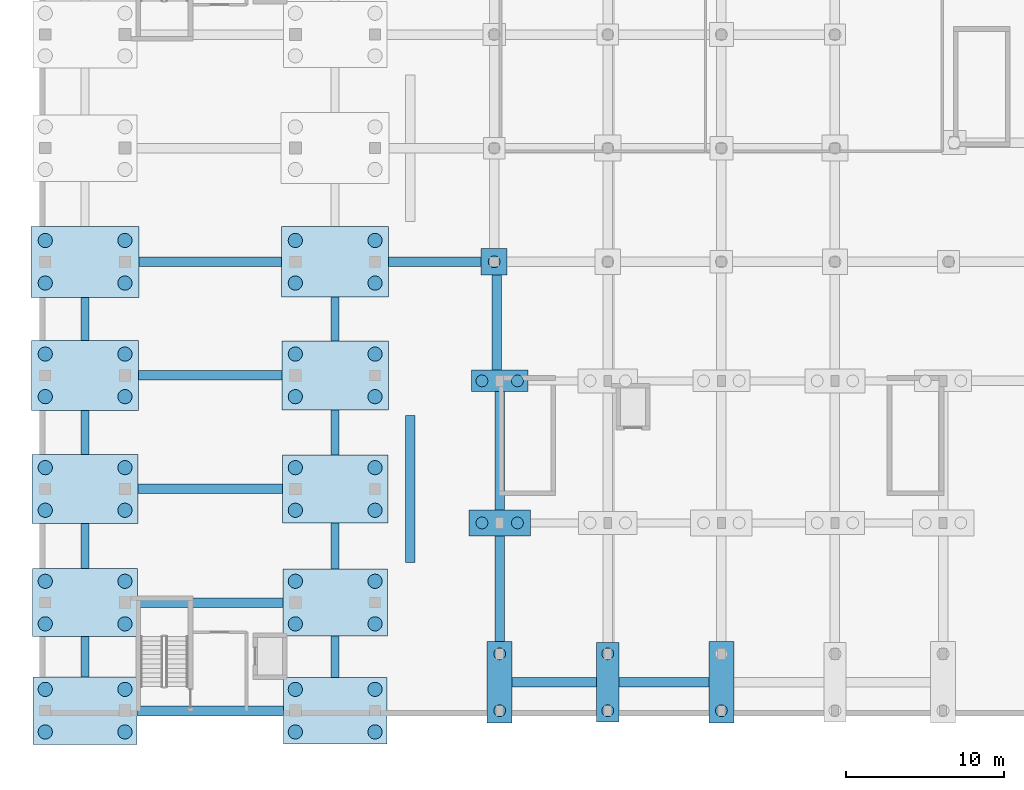
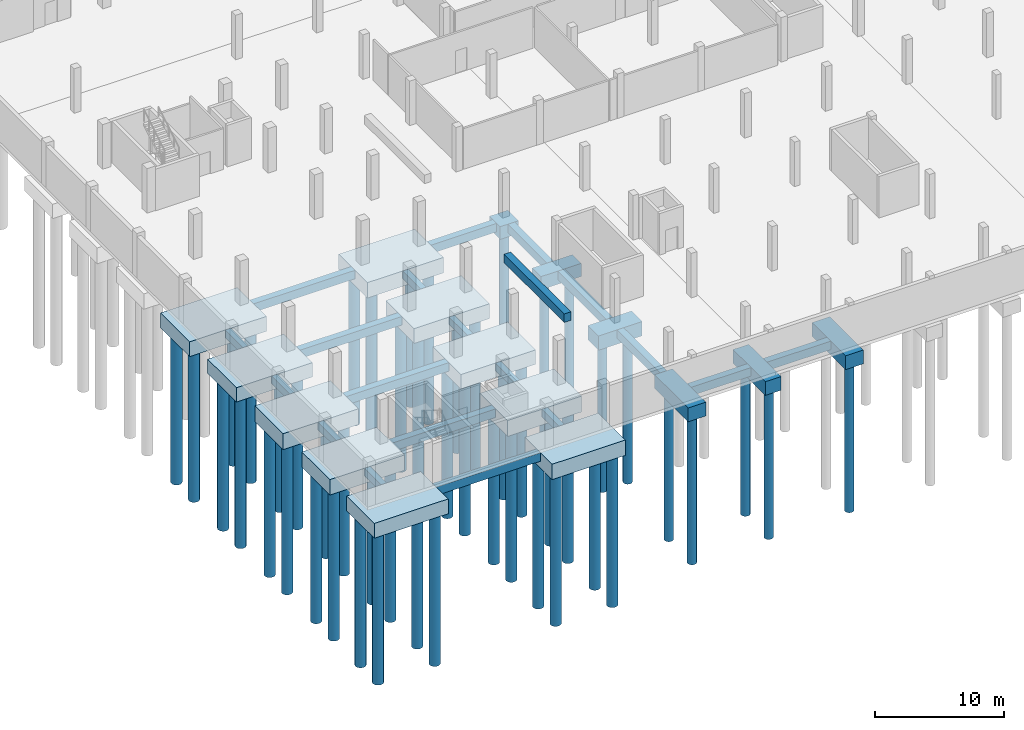
# One storey, part 1 of 36: 50 piles, 36 footings.
"""IFC4 building model written with IfcOpenShell, lengths in metres."""

from ifc_helpers import new_model, si_unit, derived_unit, direction, frame, origin, origin_2d, place, context, subcontext, project, spatial, polyline, rectangle, circle, outline, extrude, material, material_profile, profile_set, type_object, element, save


model = new_model("IFC4")

# Units and contexts
model_context = context("Model", 3, precision=1e-05, world=origin(), true_north=direction((0.0, 1.0)))
body_context = subcontext(model_context, "Body", "Model", "MODEL_VIEW")
ifc_project = project(units=[si_unit("LENGTHUNIT", "METRE"), si_unit("AREAUNIT", "SQUARE_METRE"), si_unit("VOLUMEUNIT", "CUBIC_METRE"), si_unit("PLANEANGLEUNIT", "RADIAN"), si_unit("MASSUNIT", "GRAM", prefix="KILO"), derived_unit("THERMALTRANSMITTANCEUNIT", [(si_unit("MASSUNIT", "GRAM", prefix="KILO"), 1), (si_unit("TIMEUNIT", "SECOND"), -3), (si_unit("THERMODYNAMICTEMPERATUREUNIT", "KELVIN"), -1)])], contexts=[model_context])

# Site, building, storey
site_placement = place(None, origin())
site = spatial("IfcSite", under=ifc_project, at=site_placement, CompositionType="ELEMENT")
building_placement = place(site_placement, origin())
building = spatial("IfcBuilding", under=site, at=building_placement, Name="Ochrekiln Boulevard Commons", CompositionType="ELEMENT")
storey_placement = place(building_placement, frame((0.0, 0.0, -4.199951171875)))
storey = spatial("IfcBuildingStorey", under=building, at=storey_placement, Name="B1", CompositionType="ELEMENT", Elevation=-4.199951171875)

# Footings
ifc_material = material(Name="Concrete C35/45", Category="concrete")
footing_type_1 = type_object("IfcFootingType", Name="CAP-RC-1410x5010x1300", PredefinedType="PILE_CAP", material=ifc_material)
footing_1_placement = place(storey_placement, frame((36.0, 2.14990234375, -1.60009765625), z_axis=(0.0, 0.0, 1.0), x_axis=(1.0, 0.0, 0.0)))
element("IfcFooting", 1, at=footing_1_placement, inside=storey, type_object=footing_type_1, Name="Reinforced Concrete Pile Cap PC-34 (49)", PredefinedType="PILE_CAP", context=body_context, shape_type="SweptSolid", body=[
    extrude(rectangle(XDim=1.409912109375, YDim=5.010009765625, at=origin_2d()), origin(), (0.0, 0.0, 1.0), 1.300048828125),
])
footing_type_2 = type_object("IfcFootingType", Name="CAP-RC-1590x5190x1300", PredefinedType="PILE_CAP", material=ifc_material)
for number, where, z_axis, x_axis, name in (
    (2, (29.14990234375, 2.14990234375, -1.60009765625), (0.0, 0.0, 1.0), (1.0, 0.0, 0.0), "Reinforced Concrete Pile Cap PC-31 (46)"),
    (3, (43.199951171875, 2.14990234375, -1.60009765625), (0.0, 0.0, 1.0), (1.0, 0.0, 0.0), "Reinforced Concrete Pile Cap PC-31 (58)"),
):
    element("IfcFooting", number, at=place(storey_placement, frame(where, z_axis=z_axis, x_axis=x_axis)), inside=storey, type_object=footing_type_2, Name=name, PredefinedType="PILE_CAP", context=body_context, shape_type="SweptSolid", body=[
        extrude(rectangle(XDim=1.590087890625, YDim=5.18994140625, at=origin_2d()), origin(), (0.0, 0.0, 1.0), 1.300048828125),
    ])
footing_type_3 = type_object("IfcFootingType", Name="CAP-RC-1650x1650x1200", PredefinedType="PILE_CAP", material=ifc_material)
footing_2_placement = place(storey_placement, frame((28.800048828125, 28.800048828125, -1.5), z_axis=(0.0, 0.0, 1.0), x_axis=(1.0, 0.0, 0.0)))
element("IfcFooting", 4, at=footing_2_placement, inside=storey, type_object=footing_type_3, Name="Reinforced Concrete Pile Cap PC-17 (35)", PredefinedType="PILE_CAP", context=body_context, shape_type="SweptSolid", body=[
    extrude(rectangle(XDim=1.64990234375, YDim=1.64990234375, at=origin_2d()), origin(), (0.0, 0.0, 1.0), 1.199951171875),
])
footing_type_4 = type_object("IfcFootingType", Name="CAP-RC-3600x1350x1250", PredefinedType="PILE_CAP", material=ifc_material)
footing_3_placement = place(storey_placement, frame((29.14990234375, 21.25, -1.550048828125), z_axis=(0.0, 0.0, 1.0), x_axis=(1.0, 0.0, 0.0)))
element("IfcFooting", 5, at=footing_3_placement, inside=storey, type_object=footing_type_4, Name="Reinforced Concrete Pile Cap PC-33 (48)", PredefinedType="PILE_CAP", context=body_context, shape_type="SweptSolid", body=[
    extrude(rectangle(XDim=3.60009765625, YDim=1.35009765625, at=origin_2d()), origin(), (0.0, 0.0, 1.0), 1.25),
])
footing_type_5 = type_object("IfcFootingType", Name="CAP-RC-3900x1650x1350", PredefinedType="PILE_CAP", material=ifc_material)
footing_4_placement = place(storey_placement, frame((29.14990234375, 12.25, -1.650146484375), z_axis=(0.0, 0.0, 1.0), x_axis=(1.0, 0.0, 0.0)))
element("IfcFooting", 6, at=footing_4_placement, inside=storey, type_object=footing_type_5, Name="Reinforced Concrete Pile Cap PC-32 (47)", PredefinedType="PILE_CAP", context=body_context, shape_type="SweptSolid", body=[
    extrude(rectangle(XDim=3.89990234375, YDim=1.64990234375, at=origin_2d()), origin(), (0.0, 0.0, 1.0), 1.35009765625),
])
footing_type_6 = type_object("IfcFootingType", Name="CAP-RC-6550x4200x1450", PredefinedType="PILE_CAP", material=ifc_material)
footing_5_placement = place(storey_placement, frame((18.72509765625, 0.35009765625, -1.75), z_axis=(0.0, 0.0, 1.0), x_axis=(1.0, 0.0, 0.0)))
element("IfcFooting", 7, at=footing_5_placement, inside=storey, type_object=footing_type_6, Name="Reinforced Concrete Pile Cap PC-06 (18)", PredefinedType="PILE_CAP", context=body_context, shape_type="SweptSolid", body=[
    extrude(rectangle(XDim=6.550048828125, YDim=4.199951171875, at=origin_2d()), origin(), (0.0, 0.0, 1.0), 1.449951171875),
])
footing_type_7 = type_object("IfcFootingType", Name="CAP-RC-6610x4260x1400", PredefinedType="PILE_CAP", material=ifc_material)
footing_6_placement = place(storey_placement, frame((2.875, 0.35009765625, -1.699951171875), z_axis=(0.0, 0.0, 1.0), x_axis=(1.0, 0.0, 0.0)))
element("IfcFooting", 8, at=footing_6_placement, inside=storey, type_object=footing_type_7, Name="Reinforced Concrete Pile Cap PC-01 (1)", PredefinedType="PILE_CAP", context=body_context, shape_type="SweptSolid", body=[
    extrude(rectangle(XDim=6.610107421875, YDim=4.260009765625, at=origin_2d()), origin(), (0.0, 0.0, 1.0), 1.39990234375),
])
footing_type_8 = type_object("IfcFootingType", Name="CAP-RC-6610x4260x1500", PredefinedType="PILE_CAP", material=ifc_material)
footing_7_placement = place(storey_placement, frame((18.72509765625, 7.199951171875, -1.800048828125), z_axis=(0.0, 0.0, 1.0), x_axis=(1.0, 0.0, 0.0)))
element("IfcFooting", 9, at=footing_7_placement, inside=storey, type_object=footing_type_8, Name="Reinforced Concrete Pile Cap PC-07 (19)", PredefinedType="PILE_CAP", context=body_context, shape_type="SweptSolid", body=[
    extrude(rectangle(XDim=6.610107421875, YDim=4.260009765625, at=origin_2d()), origin(), (0.0, 0.0, 1.0), 1.5),
])
footing_type_9 = type_object("IfcFootingType", Name="CAP-RC-6670x4320x1350", PredefinedType="PILE_CAP", material=ifc_material)
footing_8_placement = place(storey_placement, frame((18.72509765625, 14.39990234375, -1.650146484375), z_axis=(0.0, 0.0, 1.0), x_axis=(1.0, 0.0, 0.0)))
element("IfcFooting", 10, at=footing_8_placement, inside=storey, type_object=footing_type_9, Name="Reinforced Concrete Pile Cap PC-08 (20)", PredefinedType="PILE_CAP", context=body_context, shape_type="SweptSolid", body=[
    extrude(rectangle(XDim=6.669921875, YDim=4.320068359375, at=origin_2d()), origin(), (0.0, 0.0, 1.0), 1.35009765625),
])
footing_type_10 = type_object("IfcFootingType", Name="CAP-RC-6670x4320x1450", PredefinedType="PILE_CAP", material=ifc_material)
footing_9_placement = place(storey_placement, frame((2.875, 7.199951171875, -1.75), z_axis=(0.0, 0.0, 1.0), x_axis=(1.0, 0.0, 0.0)))
element("IfcFooting", 11, at=footing_9_placement, inside=storey, type_object=footing_type_10, Name="Reinforced Concrete Pile Cap PC-02 (2)", PredefinedType="PILE_CAP", context=body_context, shape_type="SweptSolid", body=[
    extrude(rectangle(XDim=6.669921875, YDim=4.320068359375, at=origin_2d()), origin(), (0.0, 0.0, 1.0), 1.449951171875),
])
footing_type_11 = type_object("IfcFootingType", Name="CAP-RC-6730x4380x1400", PredefinedType="PILE_CAP", material=ifc_material)
footing_10_placement = place(storey_placement, frame((18.72509765625, 21.60009765625, -1.699951171875), z_axis=(0.0, 0.0, 1.0), x_axis=(1.0, 0.0, 0.0)))
element("IfcFooting", 12, at=footing_10_placement, inside=storey, type_object=footing_type_11, Name="Reinforced Concrete Pile Cap PC-18 (21)", PredefinedType="PILE_CAP", context=body_context, shape_type="SweptSolid", body=[
    extrude(rectangle(XDim=6.72998046875, YDim=4.3798828125, at=origin_2d()), origin(), (0.0, 0.0, 1.0), 1.39990234375),
])
footing_type_12 = type_object("IfcFootingType", Name="CAP-RC-6730x4380x1500", PredefinedType="PILE_CAP", material=ifc_material)
footing_11_placement = place(storey_placement, frame((2.875, 14.39990234375, -1.800048828125), z_axis=(0.0, 0.0, 1.0), x_axis=(1.0, 0.0, 0.0)))
element("IfcFooting", 13, at=footing_11_placement, inside=storey, type_object=footing_type_12, Name="Reinforced Concrete Pile Cap PC-03 (3)", PredefinedType="PILE_CAP", context=body_context, shape_type="SweptSolid", body=[
    extrude(rectangle(XDim=6.72998046875, YDim=4.3798828125, at=origin_2d()), origin(), (0.0, 0.0, 1.0), 1.5),
])
footing_type_13 = type_object("IfcFootingType", Name="CAP-RC-6790x4440x1350", PredefinedType="PILE_CAP", material=ifc_material)
footing_12_placement = place(storey_placement, frame((2.875, 21.60009765625, -1.650146484375), z_axis=(0.0, 0.0, 1.0), x_axis=(1.0, 0.0, 0.0)))
element("IfcFooting", 14, at=footing_12_placement, inside=storey, type_object=footing_type_13, Name="Reinforced Concrete Pile Cap PC-04 (4)", PredefinedType="PILE_CAP", context=body_context, shape_type="SweptSolid", body=[
    extrude(rectangle(XDim=6.7900390625, YDim=4.43994140625, at=origin_2d()), origin(), (0.0, 0.0, 1.0), 1.35009765625),
])
footing_type_14 = type_object("IfcFootingType", Name="CAP-RC-6790x4440x1450", PredefinedType="PILE_CAP", material=ifc_material)
footing_13_placement = place(storey_placement, frame((18.72509765625, 28.800048828125, -1.75), z_axis=(0.0, 0.0, 1.0), x_axis=(1.0, 0.0, 0.0)))
element("IfcFooting", 15, at=footing_13_placement, inside=storey, type_object=footing_type_14, Name="Reinforced Concrete Pile Cap PC-19 (22)", PredefinedType="PILE_CAP", context=body_context, shape_type="SweptSolid", body=[
    extrude(rectangle(XDim=6.7900390625, YDim=4.43994140625, at=origin_2d()), origin(), (0.0, 0.0, 1.0), 1.449951171875),
])
footing_type_15 = type_object("IfcFootingType", Name="CAP-RC-6850x4500x1400", PredefinedType="PILE_CAP", material=ifc_material)
footing_14_placement = place(storey_placement, frame((2.875, 28.800048828125, -1.699951171875), z_axis=(0.0, 0.0, 1.0), x_axis=(1.0, 0.0, 0.0)))
element("IfcFooting", 16, at=footing_14_placement, inside=storey, type_object=footing_type_15, Name="Reinforced Concrete Pile Cap PC-05 (5)", PredefinedType="PILE_CAP", context=body_context, shape_type="SweptSolid", body=[
    extrude(rectangle(XDim=6.85009765625, YDim=4.5, at=origin_2d()), origin(), (0.0, 0.0, 1.0), 1.39990234375),
])
footing_type_16 = type_object("IfcFootingType", Name="FTG-BEAM-500x700", PredefinedType="FOOTING_BEAM", material=ifc_material)
footing_15_placement = place(storey_placement, frame((0.0, 0.0, -1.0)))
element("IfcFooting", 17, at=footing_15_placement, inside=storey, type_object=footing_type_16, Name="Seismic Footing Tie Beam FB-5070 Y-166", PredefinedType="FOOTING_BEAM", context=body_context, shape_type="SweptSolid", body=[
    extrude(outline(polyline([(2.625, 2.47998046875), (3.125, 2.47998046875), (3.125, 5.0400390625), (2.625, 5.0400390625), (2.625, 2.47998046875)])), origin(), (0.0, 0.0, 1.0), 0.699951171875),
])
footing_16_placement = place(storey_placement, frame((0.0, 0.0, -1.0)))
element("IfcFooting", 18, at=footing_16_placement, inside=storey, type_object=footing_type_16, Name="Seismic Footing Tie Beam FB-5070 Y-167", PredefinedType="FOOTING_BEAM", context=body_context, shape_type="SweptSolid", body=[
    extrude(outline(polyline([(2.625, 9.360107421875), (3.125, 9.360107421875), (3.125, 12.2099609375), (2.625, 12.2099609375), (2.625, 9.360107421875)])), origin(), (0.0, 0.0, 1.0), 0.699951171875),
])
footing_17_placement = place(storey_placement, frame((0.0, 0.0, -1.0)))
element("IfcFooting", 19, at=footing_17_placement, inside=storey, type_object=footing_type_16, Name="Seismic Footing Tie Beam FB-5070 Y-168", PredefinedType="FOOTING_BEAM", context=body_context, shape_type="SweptSolid", body=[
    extrude(outline(polyline([(2.625, 16.590087890625), (3.125, 16.590087890625), (3.125, 19.3798828125), (2.625, 19.3798828125), (2.625, 16.590087890625)])), origin(), (0.0, 0.0, 1.0), 0.699951171875),
])
footing_18_placement = place(storey_placement, frame((0.0, 0.0, -1.0)))
element("IfcFooting", 20, at=footing_18_placement, inside=storey, type_object=footing_type_16, Name="Seismic Footing Tie Beam FB-5070 Y-169", PredefinedType="FOOTING_BEAM", context=body_context, shape_type="SweptSolid", body=[
    extrude(outline(polyline([(2.625, 23.820068359375), (3.125, 23.820068359375), (3.125, 26.550048828125), (2.625, 26.550048828125), (2.625, 23.820068359375)])), origin(), (0.0, 0.0, 1.0), 0.699951171875),
])
footing_19_placement = place(storey_placement, frame((0.0, 0.0, -1.0)))
element("IfcFooting", 21, at=footing_19_placement, inside=storey, type_object=footing_type_16, Name="Seismic Footing Tie Beam FB-5070 Y-180", PredefinedType="FOOTING_BEAM", context=body_context, shape_type="SweptSolid", body=[
    extrude(outline(polyline([(18.47509765625, 2.449951171875), (18.97509765625, 2.449951171875), (18.97509765625, 5.070068359375), (18.47509765625, 5.070068359375), (18.47509765625, 2.449951171875)])), origin(), (0.0, 0.0, 1.0), 0.699951171875),
])
footing_20_placement = place(storey_placement, frame((0.0, 0.0, -1.0)))
element("IfcFooting", 22, at=footing_20_placement, inside=storey, type_object=footing_type_16, Name="Seismic Footing Tie Beam FB-5070 Y-181", PredefinedType="FOOTING_BEAM", context=body_context, shape_type="SweptSolid", body=[
    extrude(outline(polyline([(18.47509765625, 9.330078125), (18.97509765625, 9.330078125), (18.97509765625, 12.239990234375), (18.47509765625, 12.239990234375), (18.47509765625, 9.330078125)])), origin(), (0.0, 0.0, 1.0), 0.699951171875),
])
footing_21_placement = place(storey_placement, frame((0.0, 0.0, -1.0)))
element("IfcFooting", 23, at=footing_21_placement, inside=storey, type_object=footing_type_16, Name="Seismic Footing Tie Beam FB-5070 Y-182", PredefinedType="FOOTING_BEAM", context=body_context, shape_type="SweptSolid", body=[
    extrude(outline(polyline([(18.47509765625, 16.56005859375), (18.97509765625, 16.56005859375), (18.97509765625, 19.409912109375), (18.47509765625, 19.409912109375), (18.47509765625, 16.56005859375)])), origin(), (0.0, 0.0, 1.0), 0.699951171875),
])
footing_22_placement = place(storey_placement, frame((0.0, 0.0, -1.0)))
element("IfcFooting", 24, at=footing_22_placement, inside=storey, type_object=footing_type_16, Name="Seismic Footing Tie Beam FB-5070 Y-183", PredefinedType="FOOTING_BEAM", context=body_context, shape_type="SweptSolid", body=[
    extrude(outline(polyline([(18.47509765625, 23.7900390625), (18.97509765625, 23.7900390625), (18.97509765625, 26.580078125), (18.47509765625, 26.580078125), (18.47509765625, 23.7900390625)])), origin(), (0.0, 0.0, 1.0), 0.699951171875),
])
footing_type_17 = type_object("IfcFootingType", Name="FTG-BEAM-600x800", PredefinedType="FOOTING_BEAM", material=ifc_material)
footing_23_placement = place(storey_placement, frame((0.0, 0.0, -1.10009765625)))
element("IfcFooting", 25, at=footing_23_placement, inside=storey, type_object=footing_type_17, Name="Seismic Footing Tie Beam FB-6080 X-1", PredefinedType="FOOTING_BEAM", context=body_context, shape_type="SweptSolid", body=[
    extrude(outline(polyline([(6.179931640625, 0.050048828125), (15.449951171875, 0.050048828125), (15.449951171875, 0.64990234375), (6.179931640625, 0.64990234375), (6.179931640625, 0.050048828125)])), origin(), (0.0, 0.0, 1.0), 0.800048828125),
])
footing_24_placement = place(storey_placement, frame((0.0, 0.0, -1.10009765625)))
element("IfcFooting", 26, at=footing_24_placement, inside=storey, type_object=footing_type_17, Name="Seismic Footing Tie Beam FB-6080 X-5", PredefinedType="FOOTING_BEAM", context=body_context, shape_type="SweptSolid", body=[
    extrude(outline(polyline([(6.2099609375, 6.89990234375), (15.419921875, 6.89990234375), (15.419921875, 7.5), (6.2099609375, 7.5), (6.2099609375, 6.89990234375)])), origin(), (0.0, 0.0, 1.0), 0.800048828125),
])
footing_25_placement = place(storey_placement, frame((0.0, 0.0, -1.10009765625)))
element("IfcFooting", 27, at=footing_25_placement, inside=storey, type_object=footing_type_17, Name="Seismic Footing Tie Beam FB-6080 X-9", PredefinedType="FOOTING_BEAM", context=body_context, shape_type="SweptSolid", body=[
    extrude(outline(polyline([(6.239990234375, 14.10009765625), (15.389892578125, 14.10009765625), (15.389892578125, 14.699951171875), (6.239990234375, 14.699951171875), (6.239990234375, 14.10009765625)])), origin(), (0.0, 0.0, 1.0), 0.800048828125),
])
footing_26_placement = place(storey_placement, frame((0.0, 0.0, -1.10009765625)))
element("IfcFooting", 28, at=footing_26_placement, inside=storey, type_object=footing_type_17, Name="Seismic Footing Tie Beam FB-6080 X-13", PredefinedType="FOOTING_BEAM", context=body_context, shape_type="SweptSolid", body=[
    extrude(outline(polyline([(6.27001953125, 21.300048828125), (15.360107421875, 21.300048828125), (15.360107421875, 21.89990234375), (6.27001953125, 21.89990234375), (6.27001953125, 21.300048828125)])), origin(), (0.0, 0.0, 1.0), 0.800048828125),
])
footing_27_placement = place(storey_placement, frame((0.0, 0.0, -1.10009765625)))
element("IfcFooting", 29, at=footing_27_placement, inside=storey, type_object=footing_type_17, Name="Seismic Footing Tie Beam FB-6080 X-31", PredefinedType="FOOTING_BEAM", context=body_context, shape_type="SweptSolid", body=[
    extrude(outline(polyline([(6.300048828125, 28.5), (15.330078125, 28.5), (15.330078125, 29.10009765625), (6.300048828125, 29.10009765625), (6.300048828125, 28.5)])), origin(), (0.0, 0.0, 1.0), 0.800048828125),
])
footing_28_placement = place(storey_placement, frame((0.0, 0.0, -1.10009765625)))
element("IfcFooting", 30, at=footing_28_placement, inside=storey, type_object=footing_type_17, Name="Seismic Footing Tie Beam FB-6080 X-32", PredefinedType="FOOTING_BEAM", context=body_context, shape_type="SweptSolid", body=[
    extrude(outline(polyline([(22.1201171875, 28.5), (27.97509765625, 28.5), (27.97509765625, 29.10009765625), (22.1201171875, 29.10009765625), (22.1201171875, 28.5)])), origin(), (0.0, 0.0, 1.0), 0.800048828125),
])
footing_29_placement = place(storey_placement, frame((0.0, 0.0, -1.10009765625)))
element("IfcFooting", 31, at=footing_29_placement, inside=storey, type_object=footing_type_17, Name="Seismic Footing Tie Beam FB-6080 X-140", PredefinedType="FOOTING_BEAM", context=body_context, shape_type="SweptSolid", body=[
    extrude(outline(polyline([(29.945068359375, 1.85009765625), (35.294921875, 1.85009765625), (35.294921875, 2.449951171875), (29.945068359375, 2.449951171875), (29.945068359375, 1.85009765625)])), origin(), (0.0, 0.0, 1.0), 0.800048828125),
])
footing_30_placement = place(storey_placement, frame((0.0, 0.0, -1.10009765625)))
element("IfcFooting", 32, at=footing_30_placement, inside=storey, type_object=footing_type_17, Name="Seismic Footing Tie Beam FB-6080 X-141", PredefinedType="FOOTING_BEAM", context=body_context, shape_type="SweptSolid", body=[
    extrude(outline(polyline([(36.705078125, 1.85009765625), (42.405029296875, 1.85009765625), (42.405029296875, 2.449951171875), (36.705078125, 2.449951171875), (36.705078125, 1.85009765625)])), origin(), (0.0, 0.0, 1.0), 0.800048828125),
])
footing_31_placement = place(storey_placement, frame((0.0, 0.0, -1.10009765625)))
element("IfcFooting", 33, at=footing_31_placement, inside=storey, type_object=footing_type_17, Name="Seismic Footing Tie Beam FB-6080 Y-194", PredefinedType="FOOTING_BEAM", context=body_context, shape_type="SweptSolid", body=[
    extrude(outline(polyline([(28.85009765625, 4.7451171875), (29.449951171875, 4.7451171875), (29.449951171875, 11.425048828125), (28.85009765625, 11.425048828125), (28.85009765625, 4.7451171875)])), origin(), (0.0, 0.0, 1.0), 0.800048828125),
])
footing_32_placement = place(storey_placement, frame((0.0, 0.0, -1.10009765625)))
element("IfcFooting", 34, at=footing_32_placement, inside=storey, type_object=footing_type_17, Name="Seismic Footing Tie Beam FB-6080 Y-195", PredefinedType="FOOTING_BEAM", context=body_context, shape_type="SweptSolid", body=[
    extrude(outline(polyline([(28.85009765625, 13.074951171875), (29.449951171875, 13.074951171875), (29.449951171875, 20.574951171875), (28.85009765625, 20.574951171875), (28.85009765625, 13.074951171875)])), origin(), (0.0, 0.0, 1.0), 0.800048828125),
])
footing_33_placement = place(storey_placement, frame((0.0, 0.0, -1.10009765625)))
element("IfcFooting", 35, at=footing_33_placement, inside=storey, type_object=footing_type_17, Name="Seismic Footing Tie Beam FB-6080 Y-196", PredefinedType="FOOTING_BEAM", context=body_context, shape_type="SweptSolid", body=[
    extrude(outline(polyline([(28.675048828125, 21.925048828125), (29.27490234375, 21.925048828125), (29.27490234375, 27.97509765625), (28.675048828125, 27.97509765625), (28.675048828125, 21.925048828125)])), origin(), (0.0, 0.0, 1.0), 0.800048828125),
])
footing_type_18 = type_object("IfcFootingType", Name="FTG-PAD-600x800", PredefinedType="PAD_FOOTING", material=ifc_material)
footing_34_placement = place(storey_placement, frame((0.0, 0.0, 3.39990234375)))
element("IfcFooting", 36, at=footing_34_placement, inside=storey, type_object=footing_type_18, Name="Reinforced Concrete Balcony Plinth Pad Footing FP-6080 Block D 1", PredefinedType="PAD_FOOTING", context=body_context, shape_type="SweptSolid", body=[
    extrude(outline(polyline([(23.179931640625, 9.75), (23.780029296875, 9.75), (23.780029296875, 19.050048828125), (23.179931640625, 19.050048828125), (23.179931640625, 9.75)])), origin(), (0.0, 0.0, 1.0), 0.800048828125),
])

# Piles
ifc_material_profile_1 = material_profile(ifc_material, circle(Radius=0.375, at=origin_2d()), Name="PILE-D750")
ifc_profile_set_1 = profile_set([ifc_material_profile_1], Name="Concrete C35/45")
pile_type_1 = type_object("IfcPileType", Name="PILE-BORED-750", PredefinedType="BORED", material=ifc_profile_set_1)
pile_placement = place(storey_placement, frame((28.800048828125, 28.800048828125, -1.400146484375), z_axis=(0.0, 0.0, -1.0), x_axis=(1.0, 0.0, 0.0)))
element("IfcPile", 37, at=pile_placement, inside=storey, type_object=pile_type_1, Name="Caliche-Socketed Bored Pile BP-750 (35.1)", PredefinedType="BORED", context=body_context, shape_type="SweptSolid", body=[
    extrude(circle(Radius=0.375, at=origin_2d()), origin(), (0.0, 0.0, 1.0), 14.0),
])
for number, where, z_axis, x_axis, name in (
    (38, (29.14990234375, 0.35009765625, -1.5), (0.0, 0.0, -1.0), (1.0, 0.0, 0.0), "Caliche-Socketed Bored Pile BP-750 (46.1)"),
    (39, (29.14990234375, 3.949951171875, -1.5), (0.0, 0.0, -1.0), (1.0, 0.0, 0.0), "Caliche-Socketed Bored Pile BP-750 (46.2)"),
):
    element("IfcPile", number, at=place(storey_placement, frame(where, z_axis=z_axis, x_axis=x_axis)), inside=storey, type_object=pile_type_1, Name=name, PredefinedType="BORED", context=body_context, shape_type="SweptSolid", body=[
        extrude(circle(Radius=0.375, at=origin_2d()), origin(), (0.0, 0.0, 1.0), 14.10009765625),
    ])
for number, where, z_axis, x_axis, name in (
    (40, (28.02490234375, 12.25, -1.550048828125), (0.0, 0.0, -1.0), (1.0, 0.0, 0.0), "Caliche-Socketed Bored Pile BP-750 (47.1)"),
    (41, (30.27490234375, 12.25, -1.550048828125), (0.0, 0.0, -1.0), (1.0, 0.0, 0.0), "Caliche-Socketed Bored Pile BP-750 (47.2)"),
):
    element("IfcPile", number, at=place(storey_placement, frame(where, z_axis=z_axis, x_axis=x_axis)), inside=storey, type_object=pile_type_1, Name=name, PredefinedType="BORED", context=body_context, shape_type="SweptSolid", body=[
        extrude(circle(Radius=0.375, at=origin_2d()), origin(), (0.0, 0.0, 1.0), 14.050048828125),
    ])
for number, where, z_axis, x_axis, name in (
    (42, (28.02490234375, 21.25, -1.449951171875), (0.0, 0.0, -1.0), (1.0, 0.0, 0.0), "Caliche-Socketed Bored Pile BP-750 (48.1)"),
    (43, (30.27490234375, 21.25, -1.449951171875), (0.0, 0.0, -1.0), (1.0, 0.0, 0.0), "Caliche-Socketed Bored Pile BP-750 (48.2)"),
):
    element("IfcPile", number, at=place(storey_placement, frame(where, z_axis=z_axis, x_axis=x_axis)), inside=storey, type_object=pile_type_1, Name=name, PredefinedType="BORED", context=body_context, shape_type="SweptSolid", body=[
        extrude(circle(Radius=0.375, at=origin_2d()), origin(), (0.0, 0.0, 1.0), 14.14990234375),
    ])
for number, where, z_axis, x_axis, name in (
    (44, (36.0, 0.35009765625, -1.5), (0.0, 0.0, -1.0), (1.0, 0.0, 0.0), "Caliche-Socketed Bored Pile BP-750 (49.1)"),
    (45, (36.0, 3.949951171875, -1.5), (0.0, 0.0, -1.0), (1.0, 0.0, 0.0), "Caliche-Socketed Bored Pile BP-750 (49.2)"),
    (46, (43.199951171875, 0.35009765625, -1.5), (0.0, 0.0, -1.0), (1.0, 0.0, 0.0), "Caliche-Socketed Bored Pile BP-750 (58.1)"),
):
    element("IfcPile", number, at=place(storey_placement, frame(where, z_axis=z_axis, x_axis=x_axis)), inside=storey, type_object=pile_type_1, Name=name, PredefinedType="BORED", context=body_context, shape_type="SweptSolid", body=[
        extrude(circle(Radius=0.375, at=origin_2d()), origin(), (0.0, 0.0, 1.0), 14.10009765625),
    ])
ifc_material_profile_2 = material_profile(ifc_material, circle(Radius=0.449951171875, at=origin_2d()), Name="PILE-D900")
ifc_profile_set_2 = profile_set([ifc_material_profile_2], Name="Concrete C35/45")
pile_type_2 = type_object("IfcPileType", Name="PILE-BORED-900", PredefinedType="BORED", material=ifc_profile_set_2)
for number, where, z_axis, x_axis, name in (
    (47, (0.35009765625, -1.0, -1.60009765625), (0.0, 0.0, -1.0), (1.0, 0.0, 0.0), "Caliche-Socketed Bored Pile BP-900 (1.1)"),
    (48, (0.35009765625, 1.699951171875, -1.60009765625), (0.0, 0.0, -1.0), (1.0, 0.0, 0.0), "Caliche-Socketed Bored Pile BP-900 (1.2)"),
    (49, (5.39990234375, -1.0, -1.60009765625), (0.0, 0.0, -1.0), (1.0, 0.0, 0.0), "Caliche-Socketed Bored Pile BP-900 (1.3)"),
    (50, (5.39990234375, 1.699951171875, -1.60009765625), (0.0, 0.0, -1.0), (1.0, 0.0, 0.0), "Caliche-Socketed Bored Pile BP-900 (1.4)"),
):
    element("IfcPile", number, at=place(storey_placement, frame(where, z_axis=z_axis, x_axis=x_axis)), inside=storey, type_object=pile_type_2, Name=name, PredefinedType="BORED", context=body_context, shape_type="SweptSolid", body=[
        extrude(circle(Radius=0.449951171875, at=origin_2d()), origin(), (0.0, 0.0, 1.0), 14.39990234375),
    ])
for number, where, z_axis, x_axis, name in (
    (51, (0.35009765625, 5.85009765625, -1.650146484375), (0.0, 0.0, -1.0), (1.0, 0.0, 0.0), "Caliche-Socketed Bored Pile BP-900 (2.1)"),
    (52, (0.35009765625, 8.550048828125, -1.650146484375), (0.0, 0.0, -1.0), (1.0, 0.0, 0.0), "Caliche-Socketed Bored Pile BP-900 (2.2)"),
    (53, (5.39990234375, 5.85009765625, -1.650146484375), (0.0, 0.0, -1.0), (1.0, 0.0, 0.0), "Caliche-Socketed Bored Pile BP-900 (2.3)"),
    (54, (5.39990234375, 8.550048828125, -1.650146484375), (0.0, 0.0, -1.0), (1.0, 0.0, 0.0), "Caliche-Socketed Bored Pile BP-900 (2.4)"),
):
    element("IfcPile", number, at=place(storey_placement, frame(where, z_axis=z_axis, x_axis=x_axis)), inside=storey, type_object=pile_type_2, Name=name, PredefinedType="BORED", context=body_context, shape_type="SweptSolid", body=[
        extrude(circle(Radius=0.449951171875, at=origin_2d()), origin(), (0.0, 0.0, 1.0), 14.35009765625),
    ])
for number, where, z_axis, x_axis, name in (
    (55, (0.35009765625, 13.050048828125, -1.699951171875), (0.0, 0.0, -1.0), (1.0, 0.0, 0.0), "Caliche-Socketed Bored Pile BP-900 (3.1)"),
    (56, (0.35009765625, 15.75, -1.699951171875), (0.0, 0.0, -1.0), (1.0, 0.0, 0.0), "Caliche-Socketed Bored Pile BP-900 (3.2)"),
    (57, (5.39990234375, 13.050048828125, -1.699951171875), (0.0, 0.0, -1.0), (1.0, 0.0, 0.0), "Caliche-Socketed Bored Pile BP-900 (3.3)"),
    (58, (5.39990234375, 15.75, -1.699951171875), (0.0, 0.0, -1.0), (1.0, 0.0, 0.0), "Caliche-Socketed Bored Pile BP-900 (3.4)"),
):
    element("IfcPile", number, at=place(storey_placement, frame(where, z_axis=z_axis, x_axis=x_axis)), inside=storey, type_object=pile_type_2, Name=name, PredefinedType="BORED", context=body_context, shape_type="SweptSolid", body=[
        extrude(circle(Radius=0.449951171875, at=origin_2d()), origin(), (0.0, 0.0, 1.0), 14.300048828125),
    ])
for number, where, z_axis, x_axis, name in (
    (59, (0.35009765625, 20.25, -1.550048828125), (0.0, 0.0, -1.0), (1.0, 0.0, 0.0), "Caliche-Socketed Bored Pile BP-900 (4.1)"),
    (60, (0.35009765625, 22.949951171875, -1.550048828125), (0.0, 0.0, -1.0), (1.0, 0.0, 0.0), "Caliche-Socketed Bored Pile BP-900 (4.2)"),
    (61, (5.39990234375, 20.25, -1.550048828125), (0.0, 0.0, -1.0), (1.0, 0.0, 0.0), "Caliche-Socketed Bored Pile BP-900 (4.3)"),
    (62, (5.39990234375, 22.949951171875, -1.550048828125), (0.0, 0.0, -1.0), (1.0, 0.0, 0.0), "Caliche-Socketed Bored Pile BP-900 (4.4)"),
):
    element("IfcPile", number, at=place(storey_placement, frame(where, z_axis=z_axis, x_axis=x_axis)), inside=storey, type_object=pile_type_2, Name=name, PredefinedType="BORED", context=body_context, shape_type="SweptSolid", body=[
        extrude(circle(Radius=0.449951171875, at=origin_2d()), origin(), (0.0, 0.0, 1.0), 14.449951171875),
    ])
for number, where, z_axis, x_axis, name in (
    (63, (0.35009765625, 27.449951171875, -1.60009765625), (0.0, 0.0, -1.0), (1.0, 0.0, 0.0), "Caliche-Socketed Bored Pile BP-900 (5.1)"),
    (64, (0.35009765625, 30.14990234375, -1.60009765625), (0.0, 0.0, -1.0), (1.0, 0.0, 0.0), "Caliche-Socketed Bored Pile BP-900 (5.2)"),
    (65, (5.39990234375, 27.449951171875, -1.60009765625), (0.0, 0.0, -1.0), (1.0, 0.0, 0.0), "Caliche-Socketed Bored Pile BP-900 (5.3)"),
    (66, (5.39990234375, 30.14990234375, -1.60009765625), (0.0, 0.0, -1.0), (1.0, 0.0, 0.0), "Caliche-Socketed Bored Pile BP-900 (5.4)"),
):
    element("IfcPile", number, at=place(storey_placement, frame(where, z_axis=z_axis, x_axis=x_axis)), inside=storey, type_object=pile_type_2, Name=name, PredefinedType="BORED", context=body_context, shape_type="SweptSolid", body=[
        extrude(circle(Radius=0.449951171875, at=origin_2d()), origin(), (0.0, 0.0, 1.0), 14.39990234375),
    ])
for number, where, z_axis, x_axis, name in (
    (67, (16.199951171875, -1.0, -1.650146484375), (0.0, 0.0, -1.0), (1.0, 0.0, 0.0), "Caliche-Socketed Bored Pile BP-900 (18.1)"),
    (68, (16.199951171875, 1.699951171875, -1.650146484375), (0.0, 0.0, -1.0), (1.0, 0.0, 0.0), "Caliche-Socketed Bored Pile BP-900 (18.2)"),
    (69, (21.25, -1.0, -1.650146484375), (0.0, 0.0, -1.0), (1.0, 0.0, 0.0), "Caliche-Socketed Bored Pile BP-900 (18.3)"),
    (70, (21.25, 1.699951171875, -1.650146484375), (0.0, 0.0, -1.0), (1.0, 0.0, 0.0), "Caliche-Socketed Bored Pile BP-900 (18.4)"),
):
    element("IfcPile", number, at=place(storey_placement, frame(where, z_axis=z_axis, x_axis=x_axis)), inside=storey, type_object=pile_type_2, Name=name, PredefinedType="BORED", context=body_context, shape_type="SweptSolid", body=[
        extrude(circle(Radius=0.449951171875, at=origin_2d()), origin(), (0.0, 0.0, 1.0), 14.35009765625),
    ])
for number, where, z_axis, x_axis, name in (
    (71, (16.199951171875, 5.85009765625, -1.699951171875), (0.0, 0.0, -1.0), (1.0, 0.0, 0.0), "Caliche-Socketed Bored Pile BP-900 (19.1)"),
    (72, (16.199951171875, 8.550048828125, -1.699951171875), (0.0, 0.0, -1.0), (1.0, 0.0, 0.0), "Caliche-Socketed Bored Pile BP-900 (19.2)"),
    (73, (21.25, 5.85009765625, -1.699951171875), (0.0, 0.0, -1.0), (1.0, 0.0, 0.0), "Caliche-Socketed Bored Pile BP-900 (19.3)"),
    (74, (21.25, 8.550048828125, -1.699951171875), (0.0, 0.0, -1.0), (1.0, 0.0, 0.0), "Caliche-Socketed Bored Pile BP-900 (19.4)"),
):
    element("IfcPile", number, at=place(storey_placement, frame(where, z_axis=z_axis, x_axis=x_axis)), inside=storey, type_object=pile_type_2, Name=name, PredefinedType="BORED", context=body_context, shape_type="SweptSolid", body=[
        extrude(circle(Radius=0.449951171875, at=origin_2d()), origin(), (0.0, 0.0, 1.0), 14.300048828125),
    ])
for number, where, z_axis, x_axis, name in (
    (75, (16.199951171875, 13.050048828125, -1.550048828125), (0.0, 0.0, -1.0), (1.0, 0.0, 0.0), "Caliche-Socketed Bored Pile BP-900 (20.1)"),
    (76, (16.199951171875, 15.75, -1.550048828125), (0.0, 0.0, -1.0), (1.0, 0.0, 0.0), "Caliche-Socketed Bored Pile BP-900 (20.2)"),
    (77, (21.25, 13.050048828125, -1.550048828125), (0.0, 0.0, -1.0), (1.0, 0.0, 0.0), "Caliche-Socketed Bored Pile BP-900 (20.3)"),
    (78, (21.25, 15.75, -1.550048828125), (0.0, 0.0, -1.0), (1.0, 0.0, 0.0), "Caliche-Socketed Bored Pile BP-900 (20.4)"),
):
    element("IfcPile", number, at=place(storey_placement, frame(where, z_axis=z_axis, x_axis=x_axis)), inside=storey, type_object=pile_type_2, Name=name, PredefinedType="BORED", context=body_context, shape_type="SweptSolid", body=[
        extrude(circle(Radius=0.449951171875, at=origin_2d()), origin(), (0.0, 0.0, 1.0), 14.449951171875),
    ])
for number, where, z_axis, x_axis, name in (
    (79, (16.199951171875, 20.25, -1.60009765625), (0.0, 0.0, -1.0), (1.0, 0.0, 0.0), "Caliche-Socketed Bored Pile BP-900 (21.1)"),
    (80, (16.199951171875, 22.949951171875, -1.60009765625), (0.0, 0.0, -1.0), (1.0, 0.0, 0.0), "Caliche-Socketed Bored Pile BP-900 (21.2)"),
    (81, (21.25, 20.25, -1.60009765625), (0.0, 0.0, -1.0), (1.0, 0.0, 0.0), "Caliche-Socketed Bored Pile BP-900 (21.3)"),
    (82, (21.25, 22.949951171875, -1.60009765625), (0.0, 0.0, -1.0), (1.0, 0.0, 0.0), "Caliche-Socketed Bored Pile BP-900 (21.4)"),
):
    element("IfcPile", number, at=place(storey_placement, frame(where, z_axis=z_axis, x_axis=x_axis)), inside=storey, type_object=pile_type_2, Name=name, PredefinedType="BORED", context=body_context, shape_type="SweptSolid", body=[
        extrude(circle(Radius=0.449951171875, at=origin_2d()), origin(), (0.0, 0.0, 1.0), 14.39990234375),
    ])
for number, where, z_axis, x_axis, name in (
    (83, (16.199951171875, 27.449951171875, -1.650146484375), (0.0, 0.0, -1.0), (1.0, 0.0, 0.0), "Caliche-Socketed Bored Pile BP-900 (22.1)"),
    (84, (16.199951171875, 30.14990234375, -1.650146484375), (0.0, 0.0, -1.0), (1.0, 0.0, 0.0), "Caliche-Socketed Bored Pile BP-900 (22.2)"),
    (85, (21.25, 27.449951171875, -1.650146484375), (0.0, 0.0, -1.0), (1.0, 0.0, 0.0), "Caliche-Socketed Bored Pile BP-900 (22.3)"),
    (86, (21.25, 30.14990234375, -1.650146484375), (0.0, 0.0, -1.0), (1.0, 0.0, 0.0), "Caliche-Socketed Bored Pile BP-900 (22.4)"),
):
    element("IfcPile", number, at=place(storey_placement, frame(where, z_axis=z_axis, x_axis=x_axis)), inside=storey, type_object=pile_type_2, Name=name, PredefinedType="BORED", context=body_context, shape_type="SweptSolid", body=[
        extrude(circle(Radius=0.449951171875, at=origin_2d()), origin(), (0.0, 0.0, 1.0), 14.35009765625),
    ])

save(model, "model.ifc")
